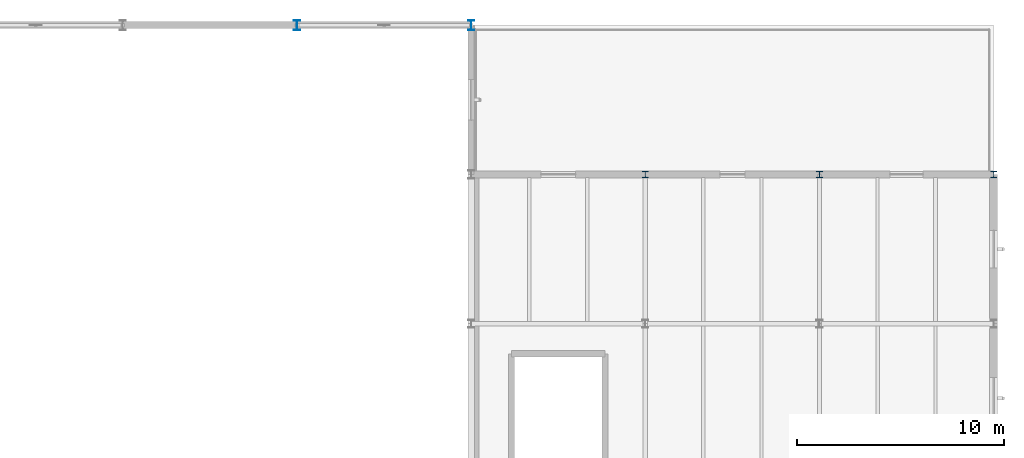
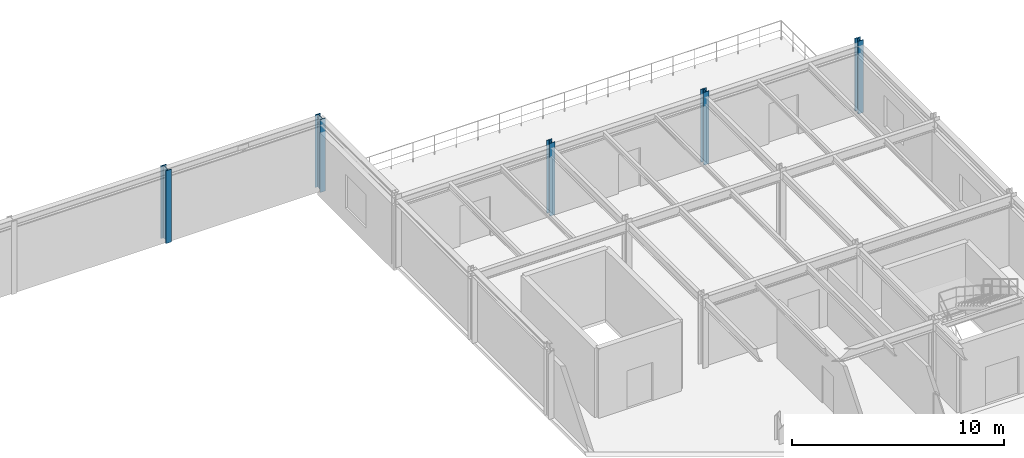
# One storey, part 19 of 109: 5 columns.
"""IFC4 building model written with IfcOpenShell, lengths in metres."""

import ifcopenshell
import ifcopenshell.guid

model = None  # the IFC model being written
_history = None  # IfcOwnerHistory: only IFC2X3 demands one
_inside = {}  # id of a spatial element -> (the spatial element, [elements in it])
_under = {}  # id of a project, library or spatial element -> (it, [spatial elements below it])
_declared = {}  # id of a project -> (the project, [libraries it declares])
_typed = {}  # id of a type object -> (the type object, [elements of that type])
_made_of = {}  # id of a material, layer set ... -> (it, [elements and type objects made of it])


def new_model(schema):
    """Start an empty IFC model of exactly this schema.

    Asked for "IFC4X3", IfcOpenShell would pick the latest addendum, in which some entities
    have other attributes; the version numbers below select the first issue.
    IFC2X3 requires an IfcOwnerHistory on every rooted entity: one is made here for all.
    """
    global model, _history
    if schema == "IFC4X3":
        model = ifcopenshell.file(schema_version=(4, 3, 0, 0))
    else:
        model = ifcopenshell.file(schema=schema)
    _inside.clear()
    _under.clear()
    _declared.clear()
    _typed.clear()
    _made_of.clear()
    _history = None
    if model.schema == "IFC2X3":
        org = make("IfcOrganization", Name="unknown")
        user = make(
            "IfcPersonAndOrganization",
            ThePerson=make("IfcPerson", FamilyName="unknown"),
            TheOrganization=org,
        )
        app = make(
            "IfcApplication",
            ApplicationDeveloper=org,
            Version="unknown",
            ApplicationFullName="unknown",
            ApplicationIdentifier="unknown",
        )
        _history = make(
            "IfcOwnerHistory",
            OwningUser=user,
            OwningApplication=app,
            ChangeAction="ADDED",
            CreationDate=0,
        )
    return model


def make(cls, **values):
    """One entity of the class cls with the attributes given. An attribute that is None is left unset."""
    return model.create_entity(
        cls, **{name: value for name, value in values.items() if value is not None}
    )


def rooted(cls, **values):
    """An entity with a GlobalId (a new one), such as an element, a storey or a relation."""
    return make(cls, GlobalId=ifcopenshell.guid.new(), OwnerHistory=_history, **values)


def si_unit(unit_type, name, prefix=None):
    """IfcSIUnit, for example si_unit("LENGTHUNIT", "METRE", prefix="MILLI")."""
    return make("IfcSIUnit", UnitType=unit_type, Prefix=prefix, Name=name)


def derived_unit(unit_type, elements):
    """IfcDerivedUnit: a product of units, each with its exponent."""
    return make(
        "IfcDerivedUnit",
        Elements=[
            make("IfcDerivedUnitElement", Unit=unit, Exponent=power)
            for unit, power in elements
        ],
        UnitType=unit_type,
    )


def assignment(units):
    """IfcUnitAssignment: the units of a project."""
    return None if units is None else make("IfcUnitAssignment", Units=units)


def point(xyz):
    """IfcCartesianPoint."""
    return None if xyz is None else make("IfcCartesianPoint", Coordinates=xyz)


def direction(xyz):
    """IfcDirection."""
    return None if xyz is None else make("IfcDirection", DirectionRatios=xyz)


def frame(location, z_axis=None, x_axis=None):
    """IfcAxis2Placement3D, a coordinate frame: its origin and axes. An axis left out is left unset."""
    return make(
        "IfcAxis2Placement3D",
        Location=point(location),
        Axis=direction(z_axis),
        RefDirection=direction(x_axis),
    )


def frame_2d(location, x_axis=None):
    """IfcAxis2Placement2D, a coordinate frame in the plane: its origin and x axis."""
    return make(
        "IfcAxis2Placement2D", Location=point(location), RefDirection=direction(x_axis)
    )


def origin():
    """The frame at (0, 0, 0) with its axes left unset."""
    return frame((0.0, 0.0, 0.0))


def origin_2d():
    """The frame at (0, 0) in the plane with its x axis left unset."""
    return frame_2d((0.0, 0.0))


def place(relative_to, where):
    """IfcLocalPlacement: puts the frame where relative to a parent placement (None: the world)."""
    return make(
        "IfcLocalPlacement", PlacementRelTo=relative_to, RelativePlacement=where
    )


def context(
    kind, dimensions, precision=None, world=None, true_north=None, identifier=None
):
    """IfcGeometricRepresentationContext, for example the 3D "Model" context."""
    return make(
        "IfcGeometricRepresentationContext",
        ContextIdentifier=identifier,
        ContextType=kind,
        CoordinateSpaceDimension=dimensions,
        Precision=precision,
        WorldCoordinateSystem=world,
        TrueNorth=true_north,
    )


def subcontext(parent, identifier, kind, view, scale=None):
    """IfcGeometricRepresentationSubContext, for example "Body" below "Model"."""
    return make(
        "IfcGeometricRepresentationSubContext",
        ContextIdentifier=identifier,
        ContextType=kind,
        ParentContext=parent,
        TargetScale=scale,
        TargetView=view,
    )


def project(units=None, contexts=None):
    """IfcProject with its units and contexts."""
    return rooted(
        "IfcProject",
        Name="project",
        RepresentationContexts=contexts,
        UnitsInContext=assignment(units),
    )


def spatial(cls, under=None, at=None, **own):
    """A site, building, storey or space (cls), placed at a placement, below another one or the project."""
    s = rooted(cls, ObjectPlacement=at, **own)
    if under is not None:
        _under.setdefault(under.id(), (under, []))[1].append(s)
    return s


def profile(cls, at=None, kind="AREA", **sizes):
    """A parametric profile (cls). Its sizes go by their IFC names, for example OverallWidth=200.0."""
    return make(cls, ProfileType=kind, Position=at, **sizes)


def i_section(**sizes):
    """IfcIShapeProfileDef."""
    return profile("IfcIShapeProfileDef", **sizes)


def extrude(swept, where, along, depth):
    """IfcExtrudedAreaSolid: the profile swept, set in the frame where, extruded along a direction by depth."""
    return make(
        "IfcExtrudedAreaSolid",
        SweptArea=swept,
        Position=where,
        ExtrudedDirection=direction(along),
        Depth=depth,
    )


def shape(context_of_items, identifier, shape_type, items):
    """IfcShapeRepresentation: the items that make up one representation, for example the "Body"."""
    return make(
        "IfcShapeRepresentation",
        ContextOfItems=context_of_items,
        RepresentationIdentifier=identifier,
        RepresentationType=shape_type,
        Items=items,
    )


def material(Name=None, Category=None):
    """IfcMaterial."""
    return make("IfcMaterial", Name=Name, Category=Category)


def material_profile(
    of_material, cross_section, Name=None, Category=None, Priority=None
):
    """IfcMaterialProfile: a cross section and its material."""
    return make(
        "IfcMaterialProfile",
        Name=Name,
        Material=of_material,
        Profile=cross_section,
        Priority=Priority,
        Category=Category,
    )


def profile_set(profiles, Name=None, composite=None):
    """IfcMaterialProfileSet."""
    return make(
        "IfcMaterialProfileSet",
        Name=Name,
        MaterialProfiles=profiles,
        CompositeProfile=composite,
    )


def made_of(thing, what):
    """Note that an element or type object is made of a material, layer set ...; save() writes the relation."""
    if what is not None:
        _made_of.setdefault(what.id(), (what, []))[1].append(thing)
    return thing


def type_object(cls, material=None, **own):
    """A type object (cls), such as IfcWallType, which elements share."""
    return made_of(rooted(cls, **own), material)


def element(
    cls,
    number,
    at=None,
    inside=None,
    cuts=None,
    type_object=None,
    material=None,
    context=None,
    identifier="Body",
    shape_type=None,
    held_by="IfcProductDefinitionShape",
    body=None,
    shapes=None,
    **own,
):
    """One element of the class cls, such as IfcWall. Its Tag is "e" and its number.

    at: its placement. inside: the storey or other place that contains it. cuts: it is an
    opening in that element (IfcRelVoidsElement). A single representation is given by context,
    identifier, shape_type and body (its items); several are given by shapes. held_by: the class
    of the entity that holds the representations. save() writes the other relations.
    """
    e = rooted(cls, Tag="e%d" % number, ObjectPlacement=at, **own)
    if body is not None:
        shapes = [shape(context, identifier, shape_type, body)]
    if shapes is not None:
        e.Representation = make(held_by, Representations=shapes)
    if inside is not None:
        _inside.setdefault(inside.id(), (inside, []))[1].append(e)
    if cuts is not None:
        rooted(
            "IfcRelVoidsElement", RelatingBuildingElement=cuts, RelatedOpeningElement=e
        )
    if type_object is not None:
        _typed.setdefault(type_object.id(), (type_object, []))[1].append(e)
    return made_of(e, material)


def aggregate(whole, parts):
    """IfcRelAggregates: a whole, such as a stair, and the parts it consists of."""
    return rooted("IfcRelAggregates", RelatingObject=whole, RelatedObjects=parts)


def save(model, path):
    """Write the relations noted so far, then the file.

    IfcRelAggregates (storeys below a building ...), IfcRelContainedInSpatialStructure (elements
    in a storey), IfcRelDefinesByType, IfcRelAssociatesMaterial and IfcRelDeclares: one each for
    every whole, place, type object, material and project.
    """
    for whole, parts in _under.values():
        aggregate(whole, parts)
    for where, things in _inside.values():
        rooted(
            "IfcRelContainedInSpatialStructure",
            RelatedElements=things,
            RelatingStructure=where,
        )
    for kind, things in _typed.values():
        rooted("IfcRelDefinesByType", RelatedObjects=things, RelatingType=kind)
    for what, things in _made_of.values():
        rooted("IfcRelAssociatesMaterial", RelatedObjects=things, RelatingMaterial=what)
    for by, libraries in _declared.values():
        rooted("IfcRelDeclares", RelatingContext=by, RelatedDefinitions=libraries)
    model.write(path)


model = new_model("IFC4")

# Units and contexts
model_context = context("Model", 3, precision=1e-05, world=origin(), true_north=direction((0.0, 1.0)))
body_context = subcontext(model_context, "Body", "Model", "MODEL_VIEW")
ifc_project = project(units=[si_unit("LENGTHUNIT", "METRE"), si_unit("AREAUNIT", "SQUARE_METRE"), si_unit("VOLUMEUNIT", "CUBIC_METRE"), si_unit("PLANEANGLEUNIT", "RADIAN"), si_unit("MASSUNIT", "GRAM", prefix="KILO"), derived_unit("THERMALTRANSMITTANCEUNIT", [(si_unit("MASSUNIT", "GRAM", prefix="KILO"), 1), (si_unit("TIMEUNIT", "SECOND"), -3), (si_unit("THERMODYNAMICTEMPERATUREUNIT", "KELVIN"), -1)])], contexts=[model_context])

# Site, building, storey
site_placement = place(None, origin())
site = spatial("IfcSite", under=ifc_project, at=site_placement, CompositionType="ELEMENT")
building_placement = place(site_placement, origin())
building = spatial("IfcBuilding", under=site, at=building_placement, Name="Kharveza Railside Sports Centre", CompositionType="ELEMENT")
storey_placement = place(building_placement, frame((0.0, 0.0, 4.5)))
storey = spatial("IfcBuildingStorey", under=building, at=storey_placement, Name="L01", CompositionType="ELEMENT", Elevation=4.5)

# Columns
ifc_material = material(Name="Steel S355J2", Category="steel")
ifc_material_profile_1 = material_profile(ifc_material, i_section(OverallWidth=0.300048828125, OverallDepth=0.5, WebThickness=0.014404296875, FlangeThickness=0.028076171875, FilletRadius=0.027099609375, at=origin_2d()), Name="HEB 500")
ifc_profile_set_1 = profile_set([ifc_material_profile_1], Name="Steel S355J2")
column_type_1 = type_object("IfcColumnType", Name="COL-S03", PredefinedType="COLUMN", material=ifc_profile_set_1)
for number, where, z_axis, x_axis, name in (
    (1, (134.39990234375, 108.0, 0.0), (0.0, 0.0, 1.0), (1.0, 0.0, 0.0), "COL-G-C03-X1344-Y1080-L01"),
    (2, (142.800048828125, 108.0, 0.0), (0.0, 0.0, 1.0), (1.0, 0.0, 0.0), "COL-G-C03-X1428-Y1080-L01"),
):
    element("IfcColumn", number, at=place(storey_placement, frame(where, z_axis=z_axis, x_axis=x_axis)), inside=storey, type_object=column_type_1, Name=name, PredefinedType="COLUMN", context=body_context, shape_type="SweptSolid", body=[
        extrude(i_section(OverallWidth=0.300048828125, OverallDepth=0.5, WebThickness=0.014404296875, FlangeThickness=0.028076171875, FilletRadius=0.027099609375, at=origin_2d()), origin(), (0.0, 0.0, 1.0), 4.199951171875),
    ])
ifc_material_profile_2 = material_profile(ifc_material, i_section(OverallWidth=0.300048828125, OverallDepth=0.300048828125, WebThickness=0.010986328125, FlangeThickness=0.01904296875, FilletRadius=0.027099609375, at=origin_2d()), Name="HEB 300")
ifc_profile_set_2 = profile_set([ifc_material_profile_2], Name="Steel S355J2")
column_type_2 = type_object("IfcColumnType", Name="COL-S07", PredefinedType="COLUMN", material=ifc_profile_set_2)
for number, where, z_axis, x_axis, name in (
    (3, (151.199951171875, 100.800048828125, 0.0), (0.0, 0.0, 1.0), (1.0, 0.0, 0.0), "COL-G-C07-X1512-Y1008-L01"),
    (4, (159.60009765625, 100.800048828125, 0.0), (0.0, 0.0, 1.0), (1.0, 0.0, 0.0), "COL-G-C07-X1596-Y1008-L01"),
    (5, (168.0, 100.800048828125, 0.0), (0.0, 0.0, 1.0), (1.0, 0.0, 0.0), "COL-G-C07-X1680-Y1008-L01"),
):
    element("IfcColumn", number, at=place(storey_placement, frame(where, z_axis=z_axis, x_axis=x_axis)), inside=storey, type_object=column_type_2, Name=name, PredefinedType="COLUMN", context=body_context, shape_type="SweptSolid", body=[
        extrude(i_section(OverallWidth=0.300048828125, OverallDepth=0.300048828125, WebThickness=0.010986328125, FlangeThickness=0.01904296875, FilletRadius=0.027099609375, at=origin_2d()), origin(), (0.0, 0.0, 1.0), 4.199951171875),
    ])

save(model, "model.ifc")
